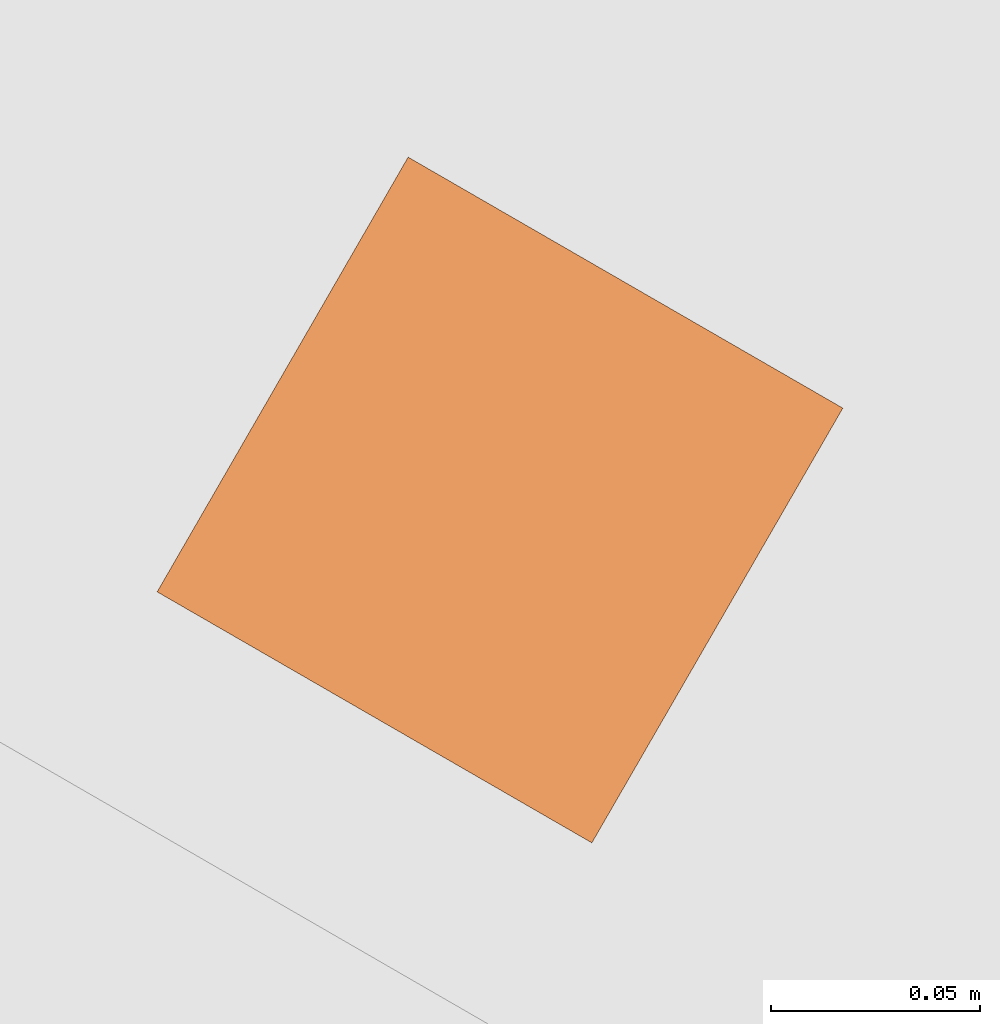
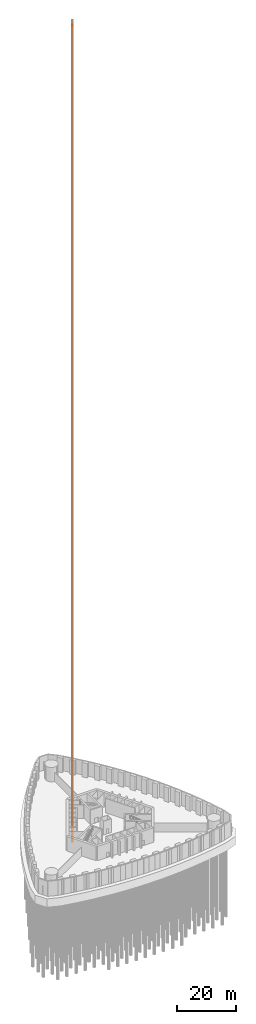
# One storey, part 10 of 12: 1 proxy.
"""IFC4 building model written with IfcOpenShell, lengths in metres."""

from ifc_helpers import new_model, si_unit, direction, frame, origin, origin_2d, place, context, subcontext, project, spatial, rectangle, extrude, element, save


model = new_model("IFC4")

# Units and contexts
model_context = context("Model", 3, precision=1e-05, world=origin(), true_north=direction((0.0, 1.0)))
body_context = subcontext(model_context, "Body", "Model", "MODEL_VIEW")
ifc_project = project(units=[si_unit("LENGTHUNIT", "METRE"), si_unit("AREAUNIT", "SQUARE_METRE"), si_unit("VOLUMEUNIT", "CUBIC_METRE"), si_unit("PLANEANGLEUNIT", "RADIAN"), si_unit("MASSUNIT", "GRAM", prefix="KILO")], contexts=[model_context])

# Site, building, storey
site_placement = place(None, origin())
site = spatial("IfcSite", under=ifc_project, at=site_placement, CompositionType="ELEMENT")
building_placement = place(site_placement, origin())
building = spatial("IfcBuilding", under=site, at=building_placement, Name="Trefoil Bronze Tower", CompositionType="ELEMENT")
storey_placement = place(building_placement, frame((0.0, 0.0, -6.0)))
storey = spatial("IfcBuildingStorey", under=building, at=storey_placement, Name="B1", CompositionType="ELEMENT", Elevation=-6.0)

# Proxy
proxy_placement = place(storey_placement, frame((-11.529296875, 2.655517578125, -1.599853515625), z_axis=(0.0, 0.0, 1.0), x_axis=(-0.5, -0.866025403784, 0.0)))
element("IfcBuildingElementProxy", 1, at=proxy_placement, inside=storey, Name="Lift FL2 guide rail 1", ObjectType="LIFT GUIDE RAIL", PredefinedType="USERDEFINED", context=body_context, shape_type="SweptSolid", body=[
    extrude(rectangle(XDim=0.1201171875, YDim=0.1201171875, at=origin_2d()), origin(), (0.0, 0.0, 1.0), 340.39990234375),
])

save(model, "model.ifc")
